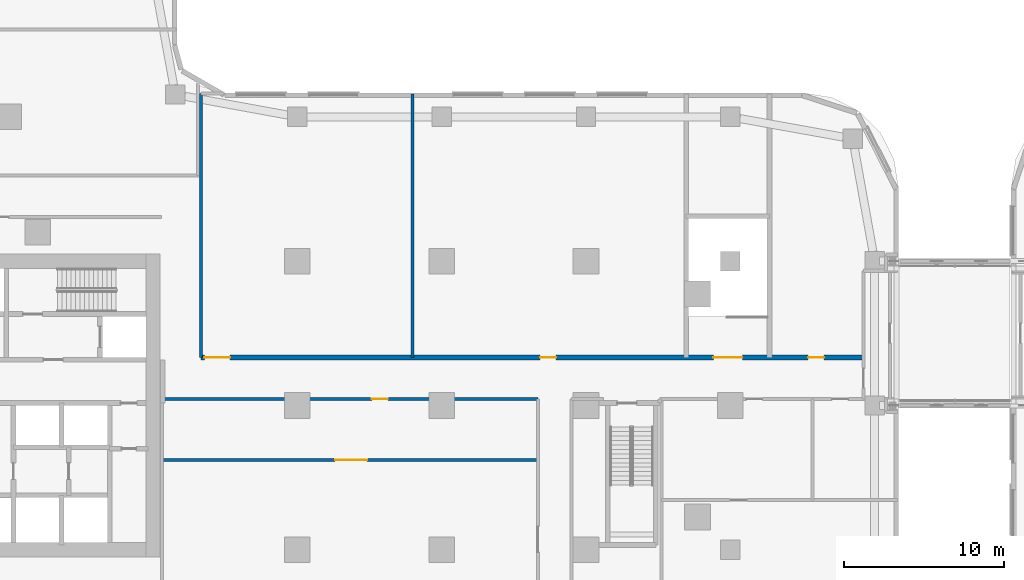
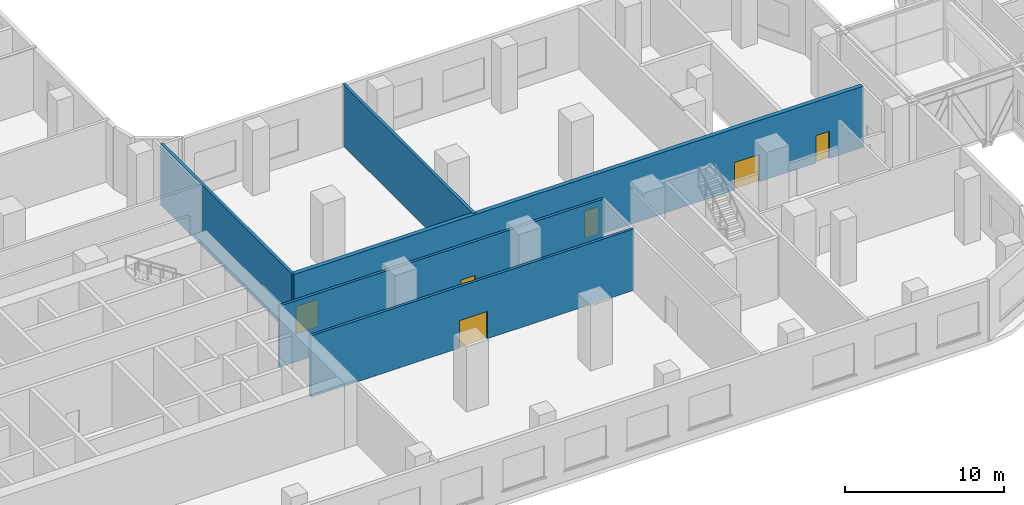
# One storey, part 8 of 33: 6 doors, 5 walls, 6 openings.
"""IFC4 building model written with IfcOpenShell, lengths in metres."""

from ifc_helpers import new_model, si_unit, direction, frame, frame_2d, origin, place, context, subcontext, project, spatial, rectangle, extrude, material, layer, layer_set, type_object, element, fill, save


model = new_model("IFC4")

# Units and contexts
model_context = context("Model", 3, precision=1e-05, world=origin(), true_north=direction((0.0, 1.0)))
body_context = subcontext(model_context, "Body", "Model", "MODEL_VIEW")
ifc_project = project(units=[si_unit("LENGTHUNIT", "METRE"), si_unit("AREAUNIT", "SQUARE_METRE"), si_unit("VOLUMEUNIT", "CUBIC_METRE"), si_unit("PLANEANGLEUNIT", "RADIAN"), si_unit("MASSUNIT", "GRAM", prefix="KILO")], contexts=[model_context])

# Site, building, storey
site_placement = place(None, origin())
site = spatial("IfcSite", under=ifc_project, at=site_placement, CompositionType="ELEMENT")
building_placement = place(site_placement, origin())
building = spatial("IfcBuilding", under=site, at=building_placement, Name="Ogive Portal Towers", CompositionType="ELEMENT")
storey_placement = place(building_placement, frame((0.0, 0.0, 28.5)))
storey = spatial("IfcBuildingStorey", under=building, at=storey_placement, Name="L05", CompositionType="ELEMENT", Elevation=28.5)

# Wall, opening, door
ifc_material_1 = material(Name="Gypsum board partition on steel studs", Category="steel")
ifc_layer_1 = layer(ifc_material_1, 0.199951171875)
ifc_layer_set_1 = layer_set([ifc_layer_1], Name="WT-PART-200-EI 60")
wall_type_1 = type_object("IfcWallType", Name="WT-PART-200-EI 60", PredefinedType="PARTITIONING", material=ifc_layer_set_1)
wall_1_placement = place(storey_placement, frame((59.050048828125, 27.10009765625, 0.0), z_axis=(0.0, 0.0, 1.0), x_axis=(1.0, 0.0, 0.0)))
wall_1 = element("IfcWall", 1, at=wall_1_placement, inside=storey, type_object=wall_type_1, Name="Wall L05:w010", PredefinedType="PARTITIONING", context=body_context, shape_type="SweptSolid", body=[
    extrude(rectangle(XDim=23.449951171875, YDim=0.199951171875, at=frame_2d((11.72509765625, 0.0))), origin(), (0.0, 0.0, 1.0), 4.699951171875),
])
opening_1_placement = place(wall_1_placement, frame((10.800048828125, 0.0, 0.0)))
opening_1 = element("IfcOpeningElement", 2, at=opening_1_placement, cuts=wall_1, Name="Opening P05-031", PredefinedType="OPENING", context=body_context, shape_type="SweptSolid", body=[
    extrude(rectangle(XDim=2.0, YDim=2.10009765625, at=frame_2d((1.0, 1.050048828125))), frame((0.0, 0.10986328125, 0.0), z_axis=(0.0, -1.0, 0.0), x_axis=(1.0, 0.0, 0.0)), (0.0, 0.0, 1.0), 0.219970703125),
])
ifc_material_2 = material(Name="Steel fire door", Category="steel")
door_type_1 = type_object("IfcDoorType", Name="DT-SWING-2000x2100-FD60S", OperationType="SINGLE_SWING_LEFT", PredefinedType="DOOR", material=ifc_material_2)
door_1_placement = place(opening_1_placement, origin())
door_1 = element("IfcDoor", 3, at=door_1_placement, inside=storey, type_object=door_type_1, Name="Door P05-031", OperationType="SINGLE_SWING_LEFT", OverallHeight=2.10009765625, OverallWidth=2.0, PredefinedType="DOOR", context=body_context, shape_type="SweptSolid", body=[
    extrude(rectangle(XDim=2.0, YDim=2.10009765625, at=frame_2d((1.0, 1.050048828125))), frame((0.0, 0.02490234375, 0.0), z_axis=(0.0, -1.0, 0.0), x_axis=(1.0, 0.0, 0.0)), (0.0, 0.0, 1.0), 0.050048828125),
])
fill(opening_1, door_1)

wall_2_placement = place(storey_placement, frame((58.969970703125, 30.89990234375, 0.0), z_axis=(0.0, 0.0, 1.0), x_axis=(1.0, 0.0, 0.0)))
wall_2 = element("IfcWall", 4, at=wall_2_placement, inside=storey, type_object=wall_type_1, Name="Wall L05:w015", PredefinedType="PARTITIONING", context=body_context, shape_type="SweptSolid", body=[
    extrude(rectangle(XDim=23.530029296875, YDim=0.199951171875, at=frame_2d((11.76513671875, 0.0))), origin(), (0.0, 0.0, 1.0), 4.699951171875),
])
opening_2_placement = place(wall_2_placement, frame((13.179931640625, 0.0, 0.0)))
opening_2 = element("IfcOpeningElement", 5, at=opening_2_placement, cuts=wall_2, Name="Opening P05-011", PredefinedType="OPENING", context=body_context, shape_type="SweptSolid", body=[
    extrude(rectangle(XDim=1.0, YDim=2.10009765625, at=frame_2d((0.5, 1.050048828125))), frame((0.0, 0.10986328125, 0.0), z_axis=(0.0, -1.0, 0.0), x_axis=(1.0, 0.0, 0.0)), (0.0, 0.0, 1.0), 0.219970703125),
])
door_type_2 = type_object("IfcDoorType", Name="DT-SWING-1000x2100-FD60S", OperationType="SINGLE_SWING_LEFT", PredefinedType="DOOR", material=ifc_material_2)
door_2_placement = place(opening_2_placement, origin())
door_2 = element("IfcDoor", 6, at=door_2_placement, inside=storey, type_object=door_type_2, Name="Door P05-011", OperationType="SINGLE_SWING_LEFT", OverallHeight=2.10009765625, OverallWidth=1.0, PredefinedType="DOOR", context=body_context, shape_type="SweptSolid", body=[
    extrude(rectangle(XDim=1.0, YDim=2.10009765625, at=frame_2d((0.5, 1.050048828125))), frame((0.0, 0.02490234375, 0.0), z_axis=(0.0, -1.0, 0.0), x_axis=(1.0, 0.0, 0.0)), (0.0, 0.0, 1.0), 0.050048828125),
])
fill(opening_2, door_2)

# Walls
wall_3_placement = place(storey_placement, frame((61.5, 33.5, 0.0), z_axis=(0.0, 0.0, 1.0), x_axis=(0.0, 1.0, 0.0)))
element("IfcWall", 7, at=wall_3_placement, inside=storey, type_object=wall_type_1, Name="Wall L05:w095", PredefinedType="PARTITIONING", context=body_context, shape_type="SweptSolid", body=[
    extrude(rectangle(XDim=16.449951171875, YDim=0.199951171875, at=frame_2d((8.22509765625, 0.0))), origin(), (0.0, 0.0, 1.0), 4.699951171875),
])
wall_4_placement = place(storey_placement, frame((74.677978515625, 33.5, 0.0), z_axis=(0.0, 0.0, 1.0), x_axis=(0.0, 1.0, 0.0)))
element("IfcWall", 8, at=wall_4_placement, inside=storey, type_object=wall_type_1, Name="Wall L05:w096", PredefinedType="PARTITIONING", context=body_context, shape_type="SweptSolid", body=[
    extrude(rectangle(XDim=16.429931640625, YDim=0.199951171875, at=frame_2d((8.21484375, 0.0))), origin(), (0.0, 0.0, 1.0), 4.699951171875),
])

# Wall, openings, doors
ifc_material_3 = material(Name="Concrete C40/50", Category="concrete")
ifc_layer_2 = layer(ifc_material_3, 0.300048828125)
ifc_layer_set_2 = layer_set([ifc_layer_2], Name="WT-SHAFT-300")
wall_type_2 = type_object("IfcWallType", Name="WT-SHAFT-300", PredefinedType="SOLIDWALL", material=ifc_layer_set_2)
wall_5_placement = place(storey_placement, frame((61.5, 33.5, 0.0), z_axis=(0.0, 0.0, 1.0), x_axis=(1.0, 0.0, 0.0)))
wall_5 = element("IfcWall", 9, at=wall_5_placement, inside=storey, type_object=wall_type_2, Name="Wall L05:w020", PredefinedType="SOLIDWALL", context=body_context, shape_type="SweptSolid", body=[
    extrude(rectangle(XDim=41.300048828125, YDim=0.300048828125, at=frame_2d((20.64990234375, 0.0))), origin(), (0.0, 0.0, 1.0), 4.699951171875),
])
opening_3_placement = place(wall_5_placement, frame((31.949951171875, 0.0, 0.0)))
opening_3 = element("IfcOpeningElement", 10, at=opening_3_placement, cuts=wall_5, Name="Opening P05-003", PredefinedType="OPENING", context=body_context, shape_type="SweptSolid", body=[
    extrude(rectangle(XDim=1.800048828125, YDim=2.10009765625, at=frame_2d((0.89990234375, 1.050048828125))), frame((0.0, 0.16015625, 0.0), z_axis=(0.0, -1.0, 0.0), x_axis=(1.0, 0.0, 0.0)), (0.0, 0.0, 1.0), 0.320068359375),
])
opening_4_placement = place(wall_5_placement, frame((0.199951171875, 0.0, 0.0)))
opening_4 = element("IfcOpeningElement", 11, at=opening_4_placement, cuts=wall_5, Name="Opening P05-015", PredefinedType="OPENING", context=body_context, shape_type="SweptSolid", body=[
    extrude(rectangle(XDim=1.60009765625, YDim=2.10009765625, at=frame_2d((0.800048828125, 1.050048828125))), frame((0.0, 0.16015625, 0.0), z_axis=(0.0, -1.0, 0.0), x_axis=(1.0, 0.0, 0.0)), (0.0, 0.0, 1.0), 0.320068359375),
])
opening_5_placement = place(wall_5_placement, frame((21.14404296875, 0.0, 0.0)))
opening_5 = element("IfcOpeningElement", 12, at=opening_5_placement, cuts=wall_5, Name="Opening P05-016", PredefinedType="OPENING", context=body_context, shape_type="SweptSolid", body=[
    extrude(rectangle(XDim=1.0, YDim=2.10009765625, at=frame_2d((0.5, 1.050048828125))), frame((0.0, 0.16015625, 0.0), z_axis=(0.0, -1.0, 0.0), x_axis=(1.0, 0.0, 0.0)), (0.0, 0.0, 1.0), 0.320068359375),
])
opening_6_placement = place(wall_5_placement, frame((37.85302734375, 0.0, 0.0)))
opening_6 = element("IfcOpeningElement", 13, at=opening_6_placement, cuts=wall_5, Name="Opening P05-017", PredefinedType="OPENING", context=body_context, shape_type="SweptSolid", body=[
    extrude(rectangle(XDim=1.0, YDim=2.10009765625, at=frame_2d((0.5, 1.050048828125))), frame((0.0, 0.16015625, 0.0), z_axis=(0.0, -1.0, 0.0), x_axis=(1.0, 0.0, 0.0)), (0.0, 0.0, 1.0), 0.320068359375),
])
door_type_3 = type_object("IfcDoorType", Name="DT-SWING-1000x2100-FD90S", OperationType="SINGLE_SWING_LEFT", PredefinedType="DOOR", material=ifc_material_2)
door_3_placement = place(opening_5_placement, origin())
door_3 = element("IfcDoor", 14, at=door_3_placement, inside=storey, type_object=door_type_3, Name="Door P05-016", OperationType="SINGLE_SWING_RIGHT", OverallHeight=2.10009765625, OverallWidth=1.0, PredefinedType="DOOR", context=body_context, shape_type="SweptSolid", body=[
    extrude(rectangle(XDim=1.0, YDim=2.10009765625, at=frame_2d((0.5, 1.050048828125))), frame((0.0, 0.02490234375, 0.0), z_axis=(0.0, -1.0, 0.0), x_axis=(1.0, 0.0, 0.0)), (0.0, 0.0, 1.0), 0.050048828125),
])
fill(opening_5, door_3)
door_4_placement = place(opening_6_placement, origin())
door_4 = element("IfcDoor", 15, at=door_4_placement, inside=storey, type_object=door_type_3, Name="Door P05-017", OperationType="SINGLE_SWING_LEFT", OverallHeight=2.10009765625, OverallWidth=1.0, PredefinedType="DOOR", context=body_context, shape_type="SweptSolid", body=[
    extrude(rectangle(XDim=1.0, YDim=2.10009765625, at=frame_2d((0.5, 1.050048828125))), frame((0.0, 0.02490234375, 0.0), z_axis=(0.0, -1.0, 0.0), x_axis=(1.0, 0.0, 0.0)), (0.0, 0.0, 1.0), 0.050048828125),
])
fill(opening_6, door_4)
door_type_4 = type_object("IfcDoorType", Name="DT-SWING-1600x2100-FD90S", OperationType="SINGLE_SWING_LEFT", PredefinedType="DOOR", material=ifc_material_2)
door_5_placement = place(opening_4_placement, origin())
door_5 = element("IfcDoor", 16, at=door_5_placement, inside=storey, type_object=door_type_4, Name="Door P05-015", OperationType="SINGLE_SWING_LEFT", OverallHeight=2.10009765625, OverallWidth=1.60009765625, PredefinedType="DOOR", context=body_context, shape_type="SweptSolid", body=[
    extrude(rectangle(XDim=1.60009765625, YDim=2.10009765625, at=frame_2d((0.800048828125, 1.050048828125))), frame((0.0, 0.02490234375, 0.0), z_axis=(0.0, -1.0, 0.0), x_axis=(1.0, 0.0, 0.0)), (0.0, 0.0, 1.0), 0.050048828125),
])
fill(opening_4, door_5)
door_type_5 = type_object("IfcDoorType", Name="DT-SWING-1800x2100-FD90S", OperationType="SINGLE_SWING_LEFT", PredefinedType="DOOR", material=ifc_material_2)
door_6_placement = place(opening_3_placement, origin())
door_6 = element("IfcDoor", 17, at=door_6_placement, inside=storey, type_object=door_type_5, Name="Door P05-003", OperationType="SINGLE_SWING_LEFT", OverallHeight=2.10009765625, OverallWidth=1.800048828125, PredefinedType="DOOR", context=body_context, shape_type="SweptSolid", body=[
    extrude(rectangle(XDim=1.800048828125, YDim=2.10009765625, at=frame_2d((0.89990234375, 1.050048828125))), frame((0.0, 0.02490234375, 0.0), z_axis=(0.0, -1.0, 0.0), x_axis=(1.0, 0.0, 0.0)), (0.0, 0.0, 1.0), 0.050048828125),
])
fill(opening_3, door_6)

save(model, "model.ifc")
